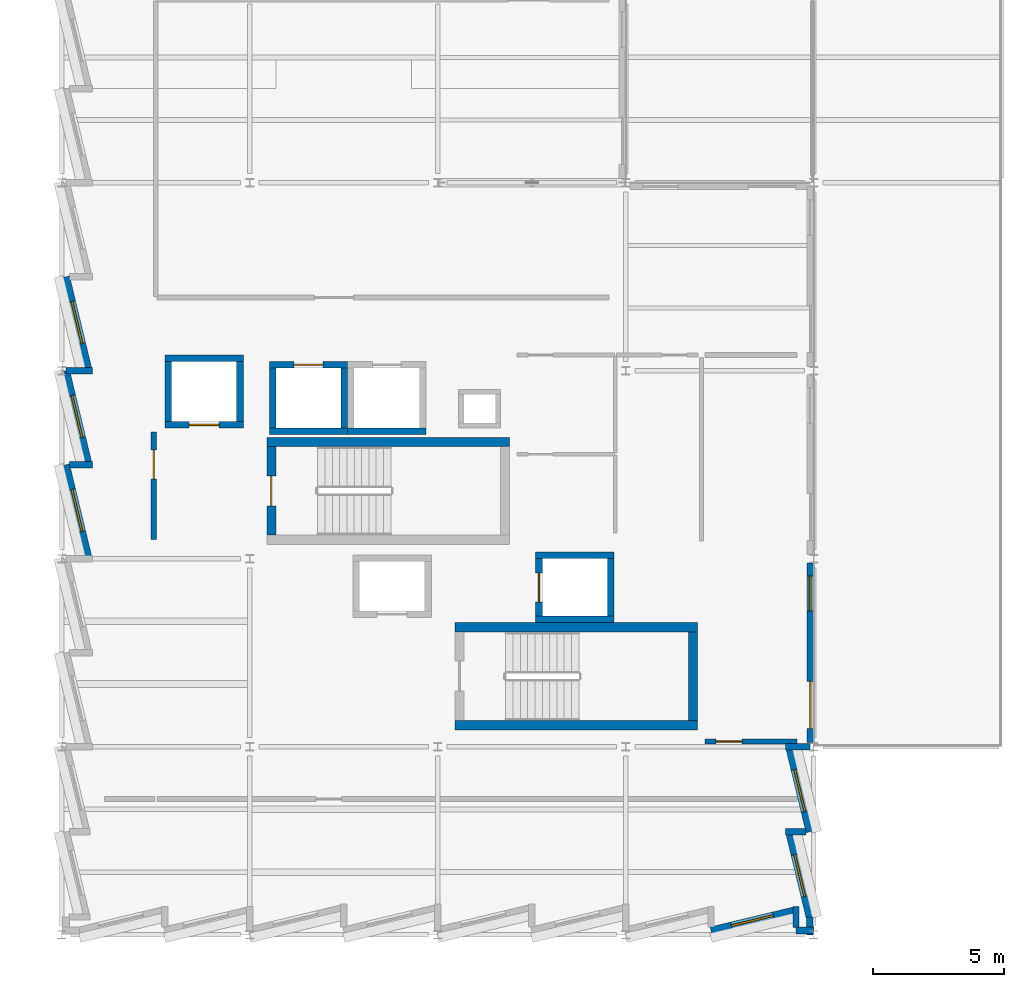
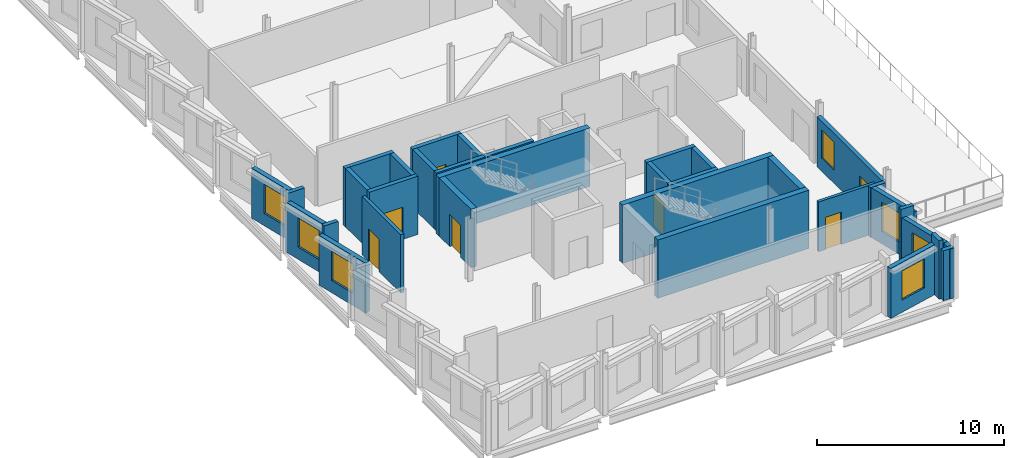
# One storey, part 13 of 18: 34 walls, 7 doors, 7 windows, 14 openings.
"""IFC4 building model written with IfcOpenShell, lengths in metres."""

from ifc_helpers import new_model, si_unit, direction, frame, frame_2d, origin, place, context, subcontext, project, spatial, rectangle, extrude, material, layer, layer_set, type_object, element, fill, save


model = new_model("IFC4")

# Units and contexts
model_context = context("Model", 3, precision=1e-05, world=origin(), true_north=direction((0.0, 1.0)))
body_context = subcontext(model_context, "Body", "Model", "MODEL_VIEW")
ifc_project = project(units=[si_unit("LENGTHUNIT", "METRE"), si_unit("AREAUNIT", "SQUARE_METRE"), si_unit("VOLUMEUNIT", "CUBIC_METRE"), si_unit("PLANEANGLEUNIT", "RADIAN"), si_unit("MASSUNIT", "GRAM", prefix="KILO")], contexts=[model_context])

# Site, building, storey
site_placement = place(None, origin())
site = spatial("IfcSite", under=ifc_project, at=site_placement, CompositionType="ELEMENT")
building_placement = place(site_placement, origin())
building = spatial("IfcBuilding", under=site, at=building_placement, Name="Kalmorath City Hall", CompositionType="ELEMENT")
storey_placement = place(building_placement, frame((0.0, 0.0, 27.0)))
storey = spatial("IfcBuildingStorey", under=building, at=storey_placement, Name="L06", CompositionType="ELEMENT", Elevation=27.0)

# Wall
ifc_material_1 = material(Name="Concrete C50/60", Category="concrete")
ifc_layer_1 = layer(ifc_material_1, 0.35009765625)
ifc_layer_set_1 = layer_set([ifc_layer_1], Name="Concrete C50/60")
wall_type_1 = type_object("IfcWallType", Name="Concrete core shear wall 350", PredefinedType="SHEAR", material=ifc_layer_set_1)
wall_1_placement = place(storey_placement, frame((17.14990234375, 18.875, 0.0), z_axis=(0.0, 0.0, 1.0), x_axis=(-1.0, 0.0, 0.0)))
element("IfcWall", 1, at=wall_1_placement, inside=storey, type_object=wall_type_1, Name="L06 C1 stair core shear wall N", PredefinedType="SHEAR", context=body_context, shape_type="SweptSolid", body=[
    extrude(rectangle(XDim=9.2998046875, YDim=0.35009765625, at=frame_2d((4.64990234375, 0.0))), origin(), (0.0, 0.0, 1.0), 3.800048828125),
])

# Wall, opening, door
wall_2_placement = place(storey_placement, frame((8.02490234375, 18.699951171875, 0.0), z_axis=(0.0, 0.0, 1.0), x_axis=(0.0, -1.0, 0.0)))
wall_2 = element("IfcWall", 2, at=wall_2_placement, inside=storey, type_object=wall_type_1, Name="L06 C1 stair core shear wall W", PredefinedType="SHEAR", context=body_context, shape_type="SweptSolid", body=[
    extrude(rectangle(XDim=3.39990234375, YDim=0.35009765625, at=frame_2d((1.699951171875, 0.0))), origin(), (0.0, 0.0, 1.0), 3.800048828125),
])
opening_1_placement = place(wall_2_placement, frame((1.125, 0.0, 0.0)))
opening_1 = element("IfcOpeningElement", 3, at=opening_1_placement, cuts=wall_2, Name="Opening D-L06-008", PredefinedType="OPENING", context=body_context, shape_type="SweptSolid", body=[
    extrude(rectangle(XDim=1.14990234375, YDim=2.10009765625, at=frame_2d((0.574951171875, 1.050048828125))), frame((0.0, 0.18505859375, 0.0), z_axis=(0.0, -1.0, 0.0), x_axis=(1.0, 0.0, 0.0)), (0.0, 0.0, 1.0), 0.3701171875),
])
ifc_material_2 = material(Name="Galvanised steel fire door", Category="steel")
door_type_1 = type_object("IfcDoorType", Name="Stair enclosure 90-min fire door 1150x2100", OperationType="NOTDEFINED", PredefinedType="DOOR", material=ifc_material_2)
door_1_placement = place(opening_1_placement, frame((1.14990234375, 0.0, 0.0), z_axis=(0.0, 0.0, 1.0), x_axis=(-1.0, 0.0, 0.0)))
door_1 = element("IfcDoor", 4, at=door_1_placement, inside=storey, type_object=door_type_1, Name="L06 door D-L06-008", OperationType="SINGLE_SWING_RIGHT", OverallHeight=2.10009765625, OverallWidth=1.14990234375, PredefinedType="DOOR", context=body_context, shape_type="SweptSolid", body=[
    extrude(rectangle(XDim=1.14990234375, YDim=2.10009765625, at=frame_2d((0.574951171875, 1.050048828125))), frame((0.0, 0.02490234375, 0.0), z_axis=(0.0, -1.0, 0.0), x_axis=(1.0, 0.0, 0.0)), (0.0, 0.0, 1.0), 0.050048828125),
])
fill(opening_1, door_1)

# Walls
for number, where, z_axis, x_axis, name in (
    (5, (15.050048828125, 8.02490234375, 0.0), (0.0, 0.0, 1.0), (1.0, 0.0, 0.0), "L06 C2 stair core shear wall S"),
    (6, (24.35009765625, 11.77490234375, 0.0), (0.0, 0.0, 1.0), (-1.0, 0.0, 0.0), "L06 C2 stair core shear wall N"),
):
    element("IfcWall", number, at=place(storey_placement, frame(where, z_axis=z_axis, x_axis=x_axis)), inside=storey, type_object=wall_type_1, Name=name, PredefinedType="SHEAR", context=body_context, shape_type="SweptSolid", body=[
        extrude(rectangle(XDim=9.300048828125, YDim=0.35009765625, at=frame_2d((4.64990234375, 0.0))), origin(), (0.0, 0.0, 1.0), 3.800048828125),
    ])
wall_3_placement = place(storey_placement, frame((24.175048828125, 8.199951171875, 0.0), z_axis=(0.0, 0.0, 1.0), x_axis=(0.0, 1.0, 0.0)))
element("IfcWall", 7, at=wall_3_placement, inside=storey, type_object=wall_type_1, Name="L06 C2 stair core shear wall E", PredefinedType="SHEAR", context=body_context, shape_type="SweptSolid", body=[
    extrude(rectangle(XDim=3.400146484375, YDim=0.35009765625, at=frame_2d((1.7001953125, 0.0))), origin(), (0.0, 0.0, 1.0), 3.800048828125),
])

# Wall, opening, door
ifc_material_3 = material(Name="Concrete C50/60", Category="concrete")
ifc_layer_2 = layer(ifc_material_3, 0.25)
ifc_layer_set_2 = layer_set([ifc_layer_2], Name="Concrete C50/60")
wall_type_2 = type_object("IfcWallType", Name="Concrete lift shaft wall 250", PredefinedType="SHEAR", material=ifc_layer_set_2)
wall_4_placement = place(storey_placement, frame((3.949951171875, 19.52490234375, 0.0), z_axis=(0.0, 0.0, 1.0), x_axis=(1.0, 0.0, 0.0)))
wall_4 = element("IfcWall", 8, at=wall_4_placement, inside=storey, type_object=wall_type_2, Name="L06 FL1 lift shaft wall -y", PredefinedType="SHEAR", context=body_context, shape_type="SweptSolid", body=[
    extrude(rectangle(XDim=3.0, YDim=0.25, at=frame_2d((1.5, 0.0))), origin(), (0.0, 0.0, 1.0), 3.800048828125),
])
opening_2_placement = place(wall_4_placement, frame((0.925048828125, 0.0, 0.0)))
opening_2 = element("IfcOpeningElement", 9, at=opening_2_placement, cuts=wall_4, Name="Opening LD-017", PredefinedType="OPENING", context=body_context, shape_type="SweptSolid", body=[
    extrude(rectangle(XDim=1.14990234375, YDim=2.10009765625, at=frame_2d((0.574951171875, 1.050048828125))), frame((0.0, 0.135009765625, 0.0), z_axis=(0.0, -1.0, 0.0), x_axis=(1.0, 0.0, 0.0)), (0.0, 0.0, 1.0), 0.27001953125),
])
ifc_material_4 = material(Name="Stainless steel sliding landing door", Category="steel")
door_type_2 = type_object("IfcDoorType", Name="Firefighting lift sliding landing door 1150x2100", OperationType="SLIDING_TO_RIGHT", PredefinedType="DOOR", material=ifc_material_4)
door_2_placement = place(opening_2_placement, origin())
door_2 = element("IfcDoor", 10, at=door_2_placement, inside=storey, type_object=door_type_2, Name="L06 door LD-017", OperationType="SLIDING_TO_RIGHT", OverallHeight=2.10009765625, OverallWidth=1.14990234375, PredefinedType="DOOR", context=body_context, shape_type="SweptSolid", body=[
    extrude(rectangle(XDim=1.14990234375, YDim=2.10009765625, at=frame_2d((0.574951171875, 1.050048828125))), frame((0.0, 0.02490234375, 0.0), z_axis=(0.0, -1.0, 0.0), x_axis=(1.0, 0.0, 0.0)), (0.0, 0.0, 1.0), 0.050048828125),
])
fill(opening_2, door_2)

# Walls
wall_5_placement = place(storey_placement, frame((6.949951171875, 22.074951171875, 0.0), z_axis=(0.0, 0.0, 1.0), x_axis=(-1.0, 0.0, 0.0)))
element("IfcWall", 11, at=wall_5_placement, inside=storey, type_object=wall_type_2, Name="L06 FL1 lift shaft wall +y", PredefinedType="SHEAR", context=body_context, shape_type="SweptSolid", body=[
    extrude(rectangle(XDim=3.0, YDim=0.25, at=frame_2d((1.5, 0.0))), origin(), (0.0, 0.0, 1.0), 3.800048828125),
])
for number, where, z_axis, x_axis, name in (
    (12, (4.074951171875, 21.949951171875, 0.0), (0.0, 0.0, 1.0), (0.0, -1.0, 0.0), "L06 FL1 lift shaft wall -x"),
    (13, (6.824951171875, 19.64990234375, 0.0), (0.0, 0.0, 1.0), (0.0, 1.0, 0.0), "L06 FL1 lift shaft wall +x"),
):
    element("IfcWall", number, at=place(storey_placement, frame(where, z_axis=z_axis, x_axis=x_axis)), inside=storey, type_object=wall_type_2, Name=name, PredefinedType="SHEAR", context=body_context, shape_type="SweptSolid", body=[
        extrude(rectangle(XDim=2.300048828125, YDim=0.25, at=frame_2d((1.14990234375, 0.0))), origin(), (0.0, 0.0, 1.0), 3.800048828125),
    ])
wall_6_placement = place(storey_placement, frame((7.949951171875, 19.27490234375, 0.0), z_axis=(0.0, 0.0, 1.0), x_axis=(1.0, 0.0, 0.0)))
element("IfcWall", 14, at=wall_6_placement, inside=storey, type_object=wall_type_2, Name="L06 PL1 lift shaft wall -y", PredefinedType="SHEAR", context=body_context, shape_type="SweptSolid", body=[
    extrude(rectangle(XDim=3.0, YDim=0.25, at=frame_2d((1.5, 0.0))), origin(), (0.0, 0.0, 1.0), 3.800048828125),
])

# Wall, opening, door
wall_7_placement = place(storey_placement, frame((10.949951171875, 21.824951171875, 0.0), z_axis=(0.0, 0.0, 1.0), x_axis=(-1.0, 0.0, 0.0)))
wall_7 = element("IfcWall", 15, at=wall_7_placement, inside=storey, type_object=wall_type_2, Name="L06 PL1 lift shaft wall +y", PredefinedType="SHEAR", context=body_context, shape_type="SweptSolid", body=[
    extrude(rectangle(XDim=3.0, YDim=0.25, at=frame_2d((1.5, 0.0))), origin(), (0.0, 0.0, 1.0), 3.800048828125),
])
opening_3_placement = place(wall_7_placement, frame((0.949951171875, 0.0, 0.0)))
opening_3 = element("IfcOpeningElement", 16, at=opening_3_placement, cuts=wall_7, Name="Opening LD-026", PredefinedType="OPENING", context=body_context, shape_type="SweptSolid", body=[
    extrude(rectangle(XDim=1.10009765625, YDim=2.10009765625, at=frame_2d((0.550048828125, 1.050048828125))), frame((0.0, 0.135009765625, 0.0), z_axis=(0.0, -1.0, 0.0), x_axis=(1.0, 0.0, 0.0)), (0.0, 0.0, 1.0), 0.27001953125),
])
ifc_material_5 = material(Name="Stainless steel sliding landing door", Category="steel")
door_type_3 = type_object("IfcDoorType", Name="Passenger lift sliding landing door 1100x2100", OperationType="SLIDING_TO_LEFT", PredefinedType="DOOR", material=ifc_material_5)
door_3_placement = place(opening_3_placement, origin())
door_3 = element("IfcDoor", 17, at=door_3_placement, inside=storey, type_object=door_type_3, Name="L06 door LD-026", OperationType="SLIDING_TO_LEFT", OverallHeight=2.10009765625, OverallWidth=1.10009765625, PredefinedType="DOOR", context=body_context, shape_type="SweptSolid", body=[
    extrude(rectangle(XDim=1.10009765625, YDim=2.10009765625, at=frame_2d((0.550048828125, 1.050048828125))), frame((0.0, 0.02490234375, 0.0), z_axis=(0.0, -1.0, 0.0), x_axis=(1.0, 0.0, 0.0)), (0.0, 0.0, 1.0), 0.050048828125),
])
fill(opening_3, door_3)

# Walls
for number, where, z_axis, x_axis, name in (
    (18, (8.074951171875, 21.699951171875, 0.0), (0.0, 0.0, 1.0), (0.0, -1.0, 0.0), "L06 PL1 lift shaft wall -x"),
    (19, (10.824951171875, 19.39990234375, 0.0), (0.0, 0.0, 1.0), (0.0, 1.0, 0.0), "L06 PL1 lift shaft wall +x"),
):
    element("IfcWall", number, at=place(storey_placement, frame(where, z_axis=z_axis, x_axis=x_axis)), inside=storey, type_object=wall_type_2, Name=name, PredefinedType="SHEAR", context=body_context, shape_type="SweptSolid", body=[
        extrude(rectangle(XDim=2.300048828125, YDim=0.25, at=frame_2d((1.14990234375, 0.0))), origin(), (0.0, 0.0, 1.0), 3.800048828125),
    ])
for number, where, z_axis, x_axis, name in (
    (20, (10.949951171875, 19.27490234375, 0.0), (0.0, 0.0, 1.0), (1.0, 0.0, 0.0), "L06 PL2 lift shaft wall -y"),
    (21, (18.14990234375, 12.074951171875, 0.0), (0.0, 0.0, 1.0), (1.0, 0.0, 0.0), "L06 PL3 lift shaft wall -y"),
    (22, (21.14990234375, 14.52490234375, 0.0), (0.0, 0.0, 1.0), (-1.0, 0.0, 0.0), "L06 PL3 lift shaft wall +y"),
):
    element("IfcWall", number, at=place(storey_placement, frame(where, z_axis=z_axis, x_axis=x_axis)), inside=storey, type_object=wall_type_2, Name=name, PredefinedType="SHEAR", context=body_context, shape_type="SweptSolid", body=[
        extrude(rectangle(XDim=3.0, YDim=0.25, at=frame_2d((1.5, 0.0))), origin(), (0.0, 0.0, 1.0), 3.800048828125),
    ])

# Wall, opening, door
wall_8_placement = place(storey_placement, frame((18.27490234375, 14.39990234375, 0.0), z_axis=(0.0, 0.0, 1.0), x_axis=(0.0, -1.0, 0.0)))
wall_8 = element("IfcWall", 23, at=wall_8_placement, inside=storey, type_object=wall_type_2, Name="L06 PL3 lift shaft wall -x", PredefinedType="SHEAR", context=body_context, shape_type="SweptSolid", body=[
    extrude(rectangle(XDim=2.199951171875, YDim=0.25, at=frame_2d((1.10009765625, 0.0))), origin(), (0.0, 0.0, 1.0), 3.800048828125),
])
opening_4_placement = place(wall_8_placement, frame((0.550048828125, 0.0, 0.0)))
opening_4 = element("IfcOpeningElement", 24, at=opening_4_placement, cuts=wall_8, Name="Opening LD-062", PredefinedType="OPENING", context=body_context, shape_type="SweptSolid", body=[
    extrude(rectangle(XDim=1.10009765625, YDim=2.10009765625, at=frame_2d((0.550048828125, 1.050048828125))), frame((0.0, 0.135009765625, 0.0), z_axis=(0.0, -1.0, 0.0), x_axis=(1.0, 0.0, 0.0)), (0.0, 0.0, 1.0), 0.27001953125),
])
door_4_placement = place(opening_4_placement, origin())
door_4 = element("IfcDoor", 25, at=door_4_placement, inside=storey, type_object=door_type_3, Name="L06 door LD-062", OperationType="SLIDING_TO_LEFT", OverallHeight=2.10009765625, OverallWidth=1.10009765625, PredefinedType="DOOR", context=body_context, shape_type="SweptSolid", body=[
    extrude(rectangle(XDim=1.10009765625, YDim=2.10009765625, at=frame_2d((0.550048828125, 1.050048828125))), frame((0.0, 0.02490234375, 0.0), z_axis=(0.0, -1.0, 0.0), x_axis=(1.0, 0.0, 0.0)), (0.0, 0.0, 1.0), 0.050048828125),
])
fill(opening_4, door_4)

# Wall
wall_9_placement = place(storey_placement, frame((21.02490234375, 12.199951171875, 0.0), z_axis=(0.0, 0.0, 1.0), x_axis=(0.0, 1.0, 0.0)))
element("IfcWall", 26, at=wall_9_placement, inside=storey, type_object=wall_type_2, Name="L06 PL3 lift shaft wall +x", PredefinedType="SHEAR", context=body_context, shape_type="SweptSolid", body=[
    extrude(rectangle(XDim=2.199951171875, YDim=0.25, at=frame_2d((1.10009765625, 0.0))), origin(), (0.0, 0.0, 1.0), 3.800048828125),
])

# Wall, opening, door
ifc_material_6 = material(Name="Fire-rated acoustic gypsum partition")
ifc_layer_3 = layer(ifc_material_6, 0.179931640625)
ifc_layer_set_3 = layer_set([ifc_layer_3], Name="Fire-rated acoustic gypsum partition")
wall_type_3 = type_object("IfcWallType", Name="One-hour corridor fire partition 180", PredefinedType="PARTITIONING", material=ifc_layer_set_3)
wall_10_placement = place(storey_placement, frame((24.639892578125, 7.39990234375, 0.0), z_axis=(0.0, 0.0, 1.0), x_axis=(1.0, 0.0, 0.0)))
wall_10 = element("IfcWall", 27, at=wall_10_placement, inside=storey, type_object=wall_type_3, Name="L06 interior partition PW2 #192", PredefinedType="PARTITIONING", context=body_context, shape_type="SweptSolid", body=[
    extrude(rectangle(XDim=3.52001953125, YDim=0.179931640625, at=frame_2d((1.760009765625, 0.0))), origin(), (0.0, 0.0, 1.0), 3.24609375),
])
opening_5_placement = place(wall_10_placement, frame((0.419921875, 0.0, 0.0)))
opening_5 = element("IfcOpeningElement", 28, at=opening_5_placement, cuts=wall_10, Name="Opening D-L06-262", PredefinedType="OPENING", context=body_context, shape_type="SweptSolid", body=[
    extrude(rectangle(XDim=0.97998046875, YDim=2.10009765625, at=frame_2d((0.489990234375, 1.050048828125))), frame((0.0, 0.099853515625, 0.0), z_axis=(0.0, -1.0, 0.0), x_axis=(1.0, 0.0, 0.0)), (0.0, 0.0, 1.0), 0.199951171875),
])
ifc_material_7 = material(Name="Hardwood veneer door", Category="wood")
door_type_4 = type_object("IfcDoorType", Name="Municipal suite single door 980x2100", OperationType="NOTDEFINED", PredefinedType="DOOR", material=ifc_material_7)
door_5_placement = place(opening_5_placement, origin())
door_5 = element("IfcDoor", 29, at=door_5_placement, inside=storey, type_object=door_type_4, Name="L06 door D-L06-262", OperationType="SINGLE_SWING_RIGHT", OverallHeight=2.10009765625, OverallWidth=0.97998046875, PredefinedType="DOOR", context=body_context, shape_type="SweptSolid", body=[
    extrude(rectangle(XDim=0.97998046875, YDim=2.10009765625, at=frame_2d((0.489990234375, 1.050048828125))), frame((0.0, 0.02490234375, 0.0), z_axis=(0.0, -1.0, 0.0), x_axis=(1.0, 0.0, 0.0)), (0.0, 0.0, 1.0), 0.050048828125),
])
fill(opening_5, door_5)

# Walls
ifc_material_8 = material(Name="Precast concrete C40/50", Category="concrete")
ifc_layer_4 = layer(ifc_material_8, 0.239990234375)
ifc_layer_set_4 = layer_set([ifc_layer_4], Name="Precast concrete C40/50")
wall_type_4 = type_object("IfcWallType", Name="Precast sawtooth cheek wall 240", PredefinedType="SOLIDWALL", material=ifc_layer_set_4)
wall_11_placement = place(storey_placement, frame((28.1201171875, 1.087646484375, 0.0), z_axis=(0.0, 0.0, 1.0), x_axis=(0.0, -1.0, 0.0)))
element("IfcWall", 30, at=wall_11_placement, inside=storey, type_object=wall_type_4, Name="L06 sawtooth return cheek #976", PredefinedType="SOLIDWALL", context=body_context, shape_type="SweptSolid", body=[
    extrude(rectangle(XDim=0.8056640625, YDim=0.239990234375, at=frame_2d((0.40283203125, 0.0))), origin(), (0.0, 0.0, 1.0), 3.800048828125),
])
wall_12_placement = place(storey_placement, frame((27.71240234375, 3.93994140625, 0.0), z_axis=(0.0, 0.0, 1.0), x_axis=(1.0, 0.0, 0.0)))
element("IfcWall", 31, at=wall_12_placement, inside=storey, type_object=wall_type_4, Name="L06 sawtooth return cheek #979", PredefinedType="SOLIDWALL", context=body_context, shape_type="SweptSolid", body=[
    extrude(rectangle(XDim=0.795654296875, YDim=0.239990234375, at=frame_2d((0.39794921875, 0.0))), origin(), (0.0, 0.0, 1.0), 3.800048828125),
])
wall_13_placement = place(storey_placement, frame((27.71240234375, 7.199951171875, 0.0), z_axis=(0.0, 0.0, 1.0), x_axis=(1.0, 0.0, 0.0)))
element("IfcWall", 32, at=wall_13_placement, inside=storey, type_object=wall_type_4, Name="L06 sawtooth return cheek #981", PredefinedType="SOLIDWALL", context=body_context, shape_type="SweptSolid", body=[
    extrude(rectangle(XDim=0.93310546875, YDim=0.239990234375, at=frame_2d((0.466552734375, 0.0))), origin(), (0.0, 0.0, 1.0), 3.24609375),
])
wall_14_placement = place(storey_placement, frame((1.169189453125, 21.60009765625, 0.0), z_axis=(0.0, 0.0, 1.0), x_axis=(-1.0, 0.0, 0.0)))
element("IfcWall", 33, at=wall_14_placement, inside=storey, type_object=wall_type_4, Name="L06 sawtooth return cheek #1034", PredefinedType="SOLIDWALL", context=body_context, shape_type="SweptSolid", body=[
    extrude(rectangle(XDim=1.0146484375, YDim=0.239990234375, at=frame_2d((0.50732421875, 0.0))), origin(), (0.0, 0.0, 1.0), 3.800048828125),
])
wall_15_placement = place(storey_placement, frame((1.169189453125, 18.0, 0.0), z_axis=(0.0, 0.0, 1.0), x_axis=(-1.0, 0.0, 0.0)))
element("IfcWall", 34, at=wall_15_placement, inside=storey, type_object=wall_type_4, Name="L06 sawtooth return cheek #1036", PredefinedType="SOLIDWALL", context=body_context, shape_type="SweptSolid", body=[
    extrude(rectangle(XDim=0.877197265625, YDim=0.239990234375, at=frame_2d((0.4384765625, 0.0))), origin(), (0.0, 0.0, 1.0), 3.800048828125),
])

# Wall, opening, window
ifc_material_9 = material(Name="Precast concrete C40/50", Category="concrete")
ifc_layer_5 = layer(ifc_material_9, 0.280029296875)
ifc_layer_set_5 = layer_set([ifc_layer_5], Name="Precast concrete C40/50")
wall_type_5 = type_object("IfcWallType", Name="Precast sawtooth facade wall 280", PredefinedType="SOLIDWALL", material=ifc_layer_set_5)
wall_16_placement = place(storey_placement, frame((24.860107421875, 0.159912109375, 0.0), z_axis=(0.0, 0.0, 1.0), x_axis=(0.972366208453, 0.233460824675, 0.0)))
wall_16 = element("IfcWall", 35, at=wall_16_placement, inside=storey, type_object=wall_type_5, Name="L06 sawtooth precast frame #975", PredefinedType="SOLIDWALL", context=body_context, shape_type="SweptSolid", body=[
    extrude(rectangle(XDim=3.257568359375, YDim=0.280029296875, at=frame_2d((1.62890625, 0.0))), origin(), (0.0, 0.0, 1.0), 3.256103515625),
])
opening_6_placement = place(wall_16_placement, frame((0.8037109375, 0.0, 0.800048828125)))
opening_6 = element("IfcOpeningElement", 36, at=opening_6_placement, cuts=wall_16, Name="Opening WN2", PredefinedType="OPENING", context=body_context, shape_type="SweptSolid", body=[
    extrude(rectangle(XDim=1.64990234375, YDim=1.89990234375, at=frame_2d((0.824951171875, 0.949951171875))), frame((0.0, 0.14990234375, 0.0), z_axis=(0.0, -1.0, 0.0), x_axis=(1.0, 0.0, 0.0)), (0.0, 0.0, 1.0), 0.300048828125),
])
ifc_material_10 = material(Name="Aluminium and laminated glass", Category="aluminium")
window_type_1 = type_object("IfcWindowType", Name="Sawtooth hurricane window 1650x1900", PartitioningType="SINGLE_PANEL", PredefinedType="WINDOW", material=ifc_material_10)
window_1_placement = place(opening_6_placement, origin())
window_1 = element("IfcWindow", 37, at=window_1_placement, inside=storey, type_object=window_type_1, Name="L06 window WN2-500", OverallHeight=1.89990234375, OverallWidth=1.64990234375, PartitioningType="SINGLE_PANEL", PredefinedType="WINDOW", context=body_context, shape_type="SweptSolid", body=[
    extrude(rectangle(XDim=1.64990234375, YDim=1.89990234375, at=frame_2d((0.824951171875, 0.949951171875))), frame((0.0, 0.030029296875, 0.0), z_axis=(0.0, -1.0, 0.0), x_axis=(1.0, 0.0, 0.0)), (0.0, 0.0, 1.0), 0.06005859375),
])
fill(opening_6, window_1)

wall_17_placement = place(storey_placement, frame((28.639892578125, 0.679931640625, 0.0), z_axis=(0.0, 0.0, 1.0), x_axis=(-0.233443812137, 0.972370292931, 0.0)))
wall_17 = element("IfcWall", 38, at=wall_17_placement, inside=storey, type_object=wall_type_5, Name="L06 sawtooth precast frame #978", PredefinedType="SOLIDWALL", context=body_context, shape_type="SweptSolid", body=[
    extrude(rectangle(XDim=3.2578125, YDim=0.280029296875, at=frame_2d((1.62890625, 0.0))), origin(), (0.0, 0.0, 1.0), 3.256103515625),
])
opening_7_placement = place(wall_17_placement, frame((0.8037109375, 0.0, 0.800048828125)))
opening_7 = element("IfcOpeningElement", 39, at=opening_7_placement, cuts=wall_17, Name="Opening WN2", PredefinedType="OPENING", context=body_context, shape_type="SweptSolid", body=[
    extrude(rectangle(XDim=1.64990234375, YDim=1.89990234375, at=frame_2d((0.824951171875, 0.949951171875))), frame((0.0, 0.14990234375, 0.0), z_axis=(0.0, -1.0, 0.0), x_axis=(1.0, 0.0, 0.0)), (0.0, 0.0, 1.0), 0.300048828125),
])
window_2_placement = place(opening_7_placement, origin())
window_2 = element("IfcWindow", 40, at=window_2_placement, inside=storey, type_object=window_type_1, Name="L06 window WN2-501", OverallHeight=1.89990234375, OverallWidth=1.64990234375, PartitioningType="SINGLE_PANEL", PredefinedType="WINDOW", context=body_context, shape_type="SweptSolid", body=[
    extrude(rectangle(XDim=1.64990234375, YDim=1.89990234375, at=frame_2d((0.824951171875, 0.949951171875))), frame((0.0, 0.030029296875, 0.0), z_axis=(0.0, -1.0, 0.0), x_axis=(1.0, 0.0, 0.0)), (0.0, 0.0, 1.0), 0.06005859375),
])
fill(opening_7, window_2)

wall_18_placement = place(storey_placement, frame((28.639892578125, 3.93994140625, 0.0), z_axis=(0.0, 0.0, 1.0), x_axis=(-0.233443812137, 0.972370292931, 0.0)))
wall_18 = element("IfcWall", 41, at=wall_18_placement, inside=storey, type_object=wall_type_5, Name="L06 sawtooth precast frame #980", PredefinedType="SOLIDWALL", context=body_context, shape_type="SweptSolid", body=[
    extrude(rectangle(XDim=3.2578125, YDim=0.280029296875, at=frame_2d((1.62890625, 0.0))), origin(), (0.0, 0.0, 1.0), 3.24609375),
])
opening_8_placement = place(wall_18_placement, frame((0.8037109375, 0.0, 0.800048828125)))
opening_8 = element("IfcOpeningElement", 42, at=opening_8_placement, cuts=wall_18, Name="Opening WN2", PredefinedType="OPENING", context=body_context, shape_type="SweptSolid", body=[
    extrude(rectangle(XDim=1.64990234375, YDim=1.89990234375, at=frame_2d((0.824951171875, 0.949951171875))), frame((0.0, 0.14990234375, 0.0), z_axis=(0.0, -1.0, 0.0), x_axis=(1.0, 0.0, 0.0)), (0.0, 0.0, 1.0), 0.300048828125),
])
window_3_placement = place(opening_8_placement, origin())
window_3 = element("IfcWindow", 43, at=window_3_placement, inside=storey, type_object=window_type_1, Name="L06 window WN2-502", OverallHeight=1.89990234375, OverallWidth=1.64990234375, PartitioningType="SINGLE_PANEL", PredefinedType="WINDOW", context=body_context, shape_type="SweptSolid", body=[
    extrude(rectangle(XDim=1.64990234375, YDim=1.89990234375, at=frame_2d((0.824951171875, 0.949951171875))), frame((0.0, 0.030029296875, 0.0), z_axis=(0.0, -1.0, 0.0), x_axis=(1.0, 0.0, 0.0)), (0.0, 0.0, 1.0), 0.06005859375),
])
fill(opening_8, window_3)

wall_19_placement = place(storey_placement, frame((0.159912109375, 25.199951171875, 0.0), z_axis=(0.0, 0.0, 1.0), x_axis=(0.233495818898, -0.972357805829, 0.0)))
wall_19 = element("IfcWall", 44, at=wall_19_placement, inside=storey, type_object=wall_type_5, Name="L06 sawtooth precast frame #1033", PredefinedType="SOLIDWALL", context=body_context, shape_type="SweptSolid", body=[
    extrude(rectangle(XDim=3.607177734375, YDim=0.280029296875, at=frame_2d((1.8037109375, 0.0))), origin(), (0.0, 0.0, 1.0), 3.256103515625),
])
opening_9_placement = place(wall_19_placement, frame((0.978515625, 0.0, 0.800048828125)))
opening_9 = element("IfcOpeningElement", 45, at=opening_9_placement, cuts=wall_19, Name="Opening WN2", PredefinedType="OPENING", context=body_context, shape_type="SweptSolid", body=[
    extrude(rectangle(XDim=1.64990234375, YDim=1.89990234375, at=frame_2d((0.824951171875, 0.949951171875))), frame((0.0, 0.14990234375, 0.0), z_axis=(0.0, -1.0, 0.0), x_axis=(1.0, 0.0, 0.0)), (0.0, 0.0, 1.0), 0.300048828125),
])
window_4_placement = place(opening_9_placement, origin())
window_4 = element("IfcWindow", 46, at=window_4_placement, inside=storey, type_object=window_type_1, Name="L06 window WN2-529", OverallHeight=1.89990234375, OverallWidth=1.64990234375, PartitioningType="SINGLE_PANEL", PredefinedType="WINDOW", context=body_context, shape_type="SweptSolid", body=[
    extrude(rectangle(XDim=1.64990234375, YDim=1.89990234375, at=frame_2d((0.824951171875, 0.949951171875))), frame((0.0, 0.030029296875, 0.0), z_axis=(0.0, -1.0, 0.0), x_axis=(1.0, 0.0, 0.0)), (0.0, 0.0, 1.0), 0.06005859375),
])
fill(opening_9, window_4)

wall_20_placement = place(storey_placement, frame((0.159912109375, 21.60009765625, 0.0), z_axis=(0.0, 0.0, 1.0), x_axis=(0.233480453725, -0.972361495396, 0.0)))
wall_20 = element("IfcWall", 47, at=wall_20_placement, inside=storey, type_object=wall_type_5, Name="L06 sawtooth precast frame #1035", PredefinedType="SOLIDWALL", context=body_context, shape_type="SweptSolid", body=[
    extrude(rectangle(XDim=3.607421875, YDim=0.280029296875, at=frame_2d((1.8037109375, 0.0))), origin(), (0.0, 0.0, 1.0), 3.256103515625),
])
opening_10_placement = place(wall_20_placement, frame((0.978515625, 0.0, 0.800048828125)))
opening_10 = element("IfcOpeningElement", 48, at=opening_10_placement, cuts=wall_20, Name="Opening WN2", PredefinedType="OPENING", context=body_context, shape_type="SweptSolid", body=[
    extrude(rectangle(XDim=1.64990234375, YDim=1.89990234375, at=frame_2d((0.824951171875, 0.949951171875))), frame((0.0, 0.14990234375, 0.0), z_axis=(0.0, -1.0, 0.0), x_axis=(1.0, 0.0, 0.0)), (0.0, 0.0, 1.0), 0.300048828125),
])
window_5_placement = place(opening_10_placement, origin())
window_5 = element("IfcWindow", 49, at=window_5_placement, inside=storey, type_object=window_type_1, Name="L06 window WN2-530", OverallHeight=1.89990234375, OverallWidth=1.64990234375, PartitioningType="SINGLE_PANEL", PredefinedType="WINDOW", context=body_context, shape_type="SweptSolid", body=[
    extrude(rectangle(XDim=1.64990234375, YDim=1.89990234375, at=frame_2d((0.824951171875, 0.949951171875))), frame((0.0, 0.030029296875, 0.0), z_axis=(0.0, -1.0, 0.0), x_axis=(1.0, 0.0, 0.0)), (0.0, 0.0, 1.0), 0.06005859375),
])
fill(opening_10, window_5)

wall_21_placement = place(storey_placement, frame((0.159912109375, 18.0, 0.0), z_axis=(0.0, 0.0, 1.0), x_axis=(0.233495818898, -0.972357805829, 0.0)))
wall_21 = element("IfcWall", 50, at=wall_21_placement, inside=storey, type_object=wall_type_5, Name="L06 sawtooth precast frame #1037", PredefinedType="SOLIDWALL", context=body_context, shape_type="SweptSolid", body=[
    extrude(rectangle(XDim=3.607177734375, YDim=0.280029296875, at=frame_2d((1.8037109375, 0.0))), origin(), (0.0, 0.0, 1.0), 3.24609375),
])
opening_11_placement = place(wall_21_placement, frame((0.978515625, 0.0, 0.800048828125)))
opening_11 = element("IfcOpeningElement", 51, at=opening_11_placement, cuts=wall_21, Name="Opening WN2", PredefinedType="OPENING", context=body_context, shape_type="SweptSolid", body=[
    extrude(rectangle(XDim=1.64990234375, YDim=1.89990234375, at=frame_2d((0.824951171875, 0.949951171875))), frame((0.0, 0.14990234375, 0.0), z_axis=(0.0, -1.0, 0.0), x_axis=(1.0, 0.0, 0.0)), (0.0, 0.0, 1.0), 0.300048828125),
])
window_6_placement = place(opening_11_placement, origin())
window_6 = element("IfcWindow", 52, at=window_6_placement, inside=storey, type_object=window_type_1, Name="L06 window WN2-531", OverallHeight=1.89990234375, OverallWidth=1.64990234375, PartitioningType="SINGLE_PANEL", PredefinedType="WINDOW", context=body_context, shape_type="SweptSolid", body=[
    extrude(rectangle(XDim=1.64990234375, YDim=1.89990234375, at=frame_2d((0.824951171875, 0.949951171875))), frame((0.0, 0.030029296875, 0.0), z_axis=(0.0, -1.0, 0.0), x_axis=(1.0, 0.0, 0.0)), (0.0, 0.0, 1.0), 0.06005859375),
])
fill(opening_11, window_6)

# Walls
ifc_material_11 = material(Name="Precast concrete C40/50", Category="concrete")
ifc_layer_6 = layer(ifc_material_11, 0.260009765625)
ifc_layer_set_6 = layer_set([ifc_layer_6], Name="Precast concrete C40/50")
wall_type_6 = type_object("IfcWallType", Name="Precast sawtooth return wall 260", PredefinedType="SOLIDWALL", material=ifc_layer_set_6)
for number, where, z_axis, x_axis, name in (
    (53, (28.1201171875, 0.159912109375, 0.0), (0.0, 0.0, 1.0), (1.0, 0.0, 0.0), "L06 corner pier wall #972"),
    (54, (28.639892578125, 0.0, 0.0), (0.0, 0.0, 1.0), (0.0, 1.0, 0.0), "L06 corner pier wall #977"),
):
    element("IfcWall", number, at=place(storey_placement, frame(where, z_axis=z_axis, x_axis=x_axis)), inside=storey, type_object=wall_type_6, Name=name, PredefinedType="SOLIDWALL", context=body_context, shape_type="SweptSolid", body=[
        extrude(rectangle(XDim=0.679931640625, YDim=0.260009765625, at=frame_2d((0.33984375, 0.0))), origin(), (0.0, 0.0, 1.0), 3.256103515625),
    ])

# Wall, openings, door, window
ifc_material_12 = material(Name="Precast concrete C40/50", Category="concrete")
ifc_layer_7 = layer(ifc_material_12, 0.239990234375)
ifc_layer_set_7 = layer_set([ifc_layer_7], Name="Precast concrete C40/50")
wall_type_7 = type_object("IfcWallType", Name="Recessed loggia insulated wall 240", PredefinedType="SOLIDWALL", material=ifc_layer_set_7)
wall_22_placement = place(storey_placement, frame((28.659912109375, 7.35498046875, 0.0), z_axis=(0.0, 0.0, 1.0), x_axis=(0.0, 1.0, 0.0)))
wall_22 = element("IfcWall", 55, at=wall_22_placement, inside=storey, type_object=wall_type_7, Name="L06 loggia wall #982", PredefinedType="SOLIDWALL", context=body_context, shape_type="SweptSolid", body=[
    extrude(rectangle(XDim=6.89013671875, YDim=0.239990234375, at=frame_2d((3.445068359375, 0.0))), origin(), (0.0, 0.0, 1.0), 3.256103515625),
])
opening_12_placement = place(wall_22_placement, frame((0.550048828125, 0.0, 0.0)))
opening_12 = element("IfcOpeningElement", 56, at=opening_12_placement, cuts=wall_22, Name="Opening D-E037", PredefinedType="OPENING", context=body_context, shape_type="SweptSolid", body=[
    extrude(rectangle(XDim=1.800048828125, YDim=2.14990234375, at=frame_2d((0.89990234375, 1.074951171875))), frame((0.0, 0.1298828125, 0.0), z_axis=(0.0, -1.0, 0.0), x_axis=(1.0, 0.0, 0.0)), (0.0, 0.0, 1.0), 0.260009765625),
])
opening_13_placement = place(wall_22_placement, frame((5.0400390625, 0.0, 0.85009765625)))
opening_13 = element("IfcOpeningElement", 57, at=opening_13_placement, cuts=wall_22, Name="Opening WN17", PredefinedType="OPENING", context=body_context, shape_type="SweptSolid", body=[
    extrude(rectangle(XDim=1.35009765625, YDim=1.85009765625, at=frame_2d((0.675048828125, 0.925048828125))), frame((0.0, 0.1298828125, 0.0), z_axis=(0.0, -1.0, 0.0), x_axis=(1.0, 0.0, 0.0)), (0.0, 0.0, 1.0), 0.260009765625),
])
ifc_material_13 = material(Name="Bronze-anodised aluminium and glass", Category="aluminium")
door_type_5 = type_object("IfcDoorType", Name="Roof garden double terrace door 1800x2150", OperationType="DOUBLE_DOOR_SINGLE_SWING", PredefinedType="DOOR", material=ifc_material_13)
door_6_placement = place(opening_12_placement, frame((1.800048828125, 0.0, 0.0), z_axis=(0.0, 0.0, 1.0), x_axis=(-1.0, 0.0, 0.0)))
door_6 = element("IfcDoor", 58, at=door_6_placement, inside=storey, type_object=door_type_5, Name="L06 exterior door D-E037", OperationType="DOUBLE_DOOR_SINGLE_SWING", OverallHeight=2.14990234375, OverallWidth=1.800048828125, PredefinedType="DOOR", context=body_context, shape_type="SweptSolid", body=[
    extrude(rectangle(XDim=1.800048828125, YDim=2.14990234375, at=frame_2d((0.89990234375, 1.074951171875))), frame((0.0, 0.02490234375, 0.0), z_axis=(0.0, -1.0, 0.0), x_axis=(1.0, 0.0, 0.0)), (0.0, 0.0, 1.0), 0.050048828125),
])
fill(opening_12, door_6)
ifc_material_14 = material(Name="Hardwood-trimmed laminated glass", Category="wood")
window_type_2 = type_object("IfcWindowType", Name="Terrace overlook window 1350x1850", PartitioningType="SINGLE_PANEL", PredefinedType="WINDOW", material=ifc_material_14)
window_7_placement = place(opening_13_placement, origin())
window_7 = element("IfcWindow", 59, at=window_7_placement, inside=storey, type_object=window_type_2, Name="L06 window WN17-503", OverallHeight=1.85009765625, OverallWidth=1.35009765625, PartitioningType="SINGLE_PANEL", PredefinedType="WINDOW", context=body_context, shape_type="SweptSolid", body=[
    extrude(rectangle(XDim=1.35009765625, YDim=1.85009765625, at=frame_2d((0.675048828125, 0.925048828125))), frame((0.0, 0.030029296875, 0.0), z_axis=(0.0, -1.0, 0.0), x_axis=(1.0, 0.0, 0.0)), (0.0, 0.0, 1.0), 0.06005859375),
])
fill(opening_13, window_7)

# Wall, opening, door
ifc_material_15 = material(Name="Gypsum fire-rated shaftliner partition")
ifc_layer_8 = layer(ifc_material_15, 0.199951171875)
ifc_layer_set_8 = layer_set([ifc_layer_8], Name="Gypsum fire-rated shaftliner partition")
wall_type_8 = type_object("IfcWallType", Name="Two-hour fire barrier partition 200", PredefinedType="PARTITIONING", material=ifc_layer_set_8)
wall_23_placement = place(storey_placement, frame((3.52490234375, 15.139892578125, 0.0), z_axis=(0.0, 0.0, 1.0), x_axis=(0.0, 1.0, 0.0)))
wall_23 = element("IfcWall", 60, at=wall_23_placement, inside=storey, type_object=wall_type_8, Name="L06 interior partition PW1 #183", PredefinedType="PARTITIONING", context=body_context, shape_type="SweptSolid", body=[
    extrude(rectangle(XDim=4.1201171875, YDim=0.199951171875, at=frame_2d((2.06005859375, 0.0))), origin(), (0.0, 0.0, 1.0), 3.800048828125),
])
opening_14_placement = place(wall_23_placement, frame((2.31005859375, 0.0, 0.0)))
opening_14 = element("IfcOpeningElement", 61, at=opening_14_placement, cuts=wall_23, Name="Opening D-L06-260", PredefinedType="OPENING", context=body_context, shape_type="SweptSolid", body=[
    extrude(rectangle(XDim=1.1201171875, YDim=2.10009765625, at=frame_2d((0.56005859375, 1.050048828125))), frame((0.0, 0.10986328125, 0.0), z_axis=(0.0, -1.0, 0.0), x_axis=(1.0, 0.0, 0.0)), (0.0, 0.0, 1.0), 0.219970703125),
])
ifc_material_16 = material(Name="Galvanised steel fire door", Category="steel")
door_type_6 = type_object("IfcDoorType", Name="Firefighting lobby 90-min fire door 1120x2100", OperationType="NOTDEFINED", PredefinedType="DOOR", material=ifc_material_16)
door_7_placement = place(opening_14_placement, origin())
door_7 = element("IfcDoor", 62, at=door_7_placement, inside=storey, type_object=door_type_6, Name="L06 door D-L06-260", OperationType="SINGLE_SWING_RIGHT", OverallHeight=2.10009765625, OverallWidth=1.1201171875, PredefinedType="DOOR", context=body_context, shape_type="SweptSolid", body=[
    extrude(rectangle(XDim=1.1201171875, YDim=2.10009765625, at=frame_2d((0.56005859375, 1.050048828125))), frame((0.0, 0.02490234375, 0.0), z_axis=(0.0, -1.0, 0.0), x_axis=(1.0, 0.0, 0.0)), (0.0, 0.0, 1.0), 0.050048828125),
])
fill(opening_14, door_7)

save(model, "model.ifc")
